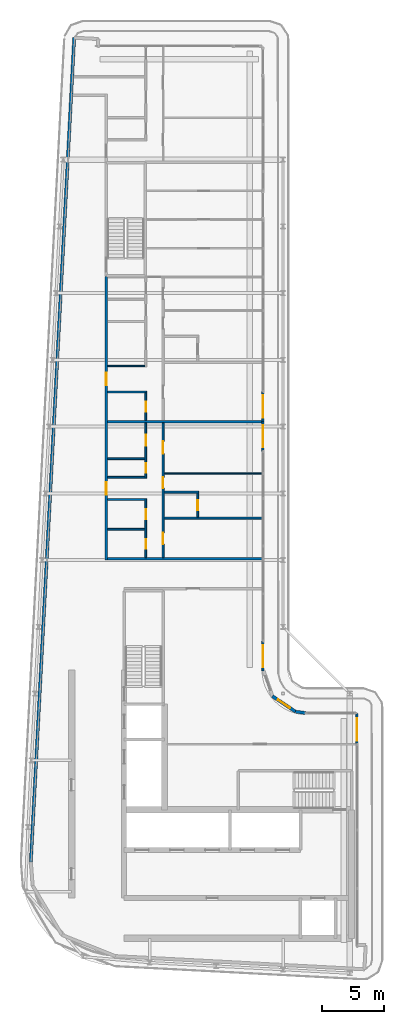
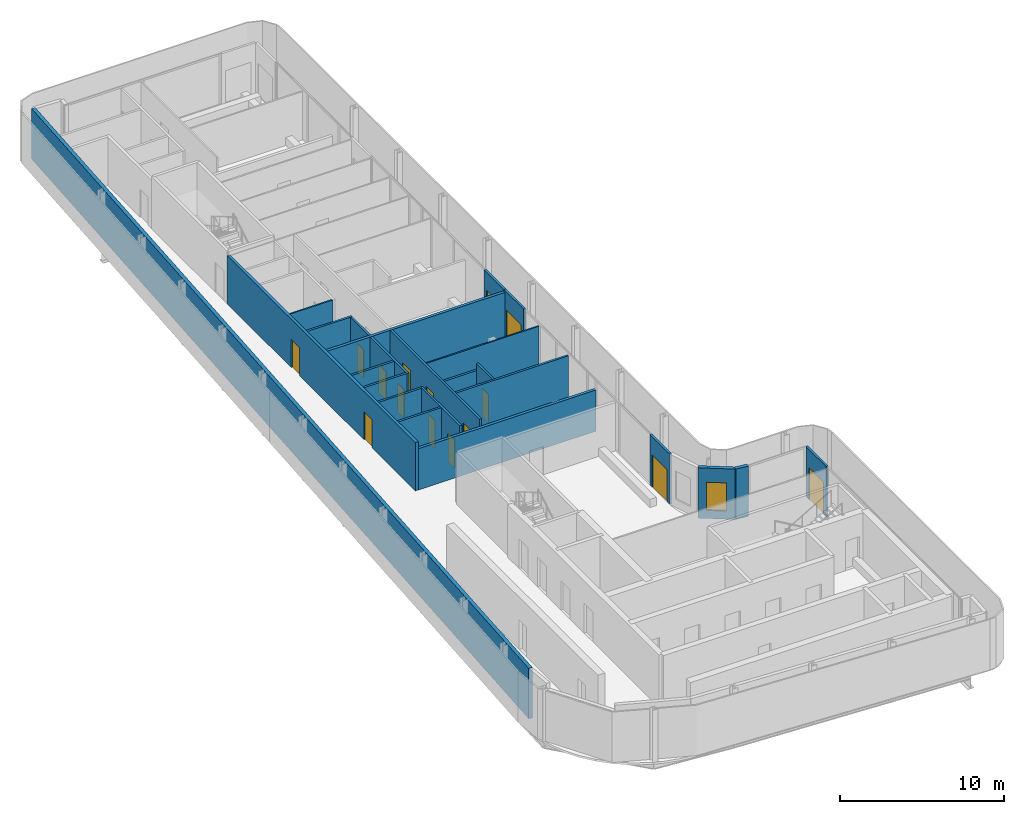
# One storey, part 10 of 18: 24 walls, 15 doors, 1 window, 16 openings.
"""IFC4 building model written with IfcOpenShell, lengths in metres."""

from ifc_helpers import new_model, si_unit, direction, frame, frame_2d, origin, place, context, subcontext, project, spatial, rectangle, extrude, source, transform, mapped, material, layer, layer_set, type_object, element, fill, save


model = new_model("IFC4")

# Units and contexts
model_context = context("Model", 3, precision=1e-05, world=origin(), true_north=direction((0.0, 1.0)))
body_context = subcontext(model_context, "Body", "Model", "MODEL_VIEW")
ifc_project = project(units=[si_unit("LENGTHUNIT", "METRE"), si_unit("AREAUNIT", "SQUARE_METRE"), si_unit("VOLUMEUNIT", "CUBIC_METRE"), si_unit("PLANEANGLEUNIT", "RADIAN"), si_unit("MASSUNIT", "GRAM", prefix="KILO")], contexts=[model_context])

# Site, building, storey
site_placement = place(None, origin())
site = spatial("IfcSite", under=ifc_project, at=site_placement, CompositionType="ELEMENT")
building_placement = place(site_placement, origin())
building = spatial("IfcBuilding", under=site, at=building_placement, Name="Kheshtan School and Residences Tower", CompositionType="ELEMENT")
storey_placement = place(building_placement, frame((0.0, 0.0, 373.39990234375)))
storey = spatial("IfcBuildingStorey", under=building, at=storey_placement, Name="L88", CompositionType="ELEMENT", Elevation=373.39990234375)

# Wall, openings, doors
ifc_material_1 = material(Name="Gypsum board on steel studs with fire boards", Category="steel")
ifc_layer_1 = layer(ifc_material_1, 0.199951171875)
ifc_layer_set_1 = layer_set([ifc_layer_1], Name="Corridor wall 200")
wall_type_1 = type_object("IfcWallType", Name="Corridor wall 200", PredefinedType="PARTITIONING", material=ifc_layer_set_1)
wall_1_placement = place(storey_placement, frame((33.300048828125, 56.39990234375, 0.0), z_axis=(0.0, 0.0, 1.0), x_axis=(0.0, 1.0, 0.0)))
wall_1 = element("IfcWall", 1, at=wall_1_placement, inside=storey, type_object=wall_type_1, Name="Partition L88-003", PredefinedType="PARTITIONING", context=body_context, shape_type="SweptSolid", body=[
    extrude(rectangle(XDim=22.9501953125, YDim=0.199951171875, at=frame_2d((11.47509765625, 0.0))), origin(), (0.0, 0.0, 1.0), 3.60009765625),
])
opening_1_placement = place(wall_1_placement, frame((5.300048828125, 0.0, 0.0)))
opening_1 = element("IfcOpeningElement", 2, at=opening_1_placement, cuts=wall_1, Name="Opening D87-005", PredefinedType="OPENING", context=body_context, shape_type="SweptSolid", body=[
    extrude(rectangle(XDim=1.0, YDim=2.10009765625, at=frame_2d((0.5, 1.050048828125))), frame((0.0, 0.10986328125, 0.0), z_axis=(0.0, -1.0, 0.0), x_axis=(1.0, 0.0, 0.0)), (0.0, 0.0, 1.0), 0.219970703125),
])
opening_2_placement = place(wall_1_placement, frame((14.14990234375, 0.0, 0.0)))
opening_2 = element("IfcOpeningElement", 3, at=opening_2_placement, cuts=wall_1, Name="Opening D87-013", PredefinedType="OPENING", context=body_context, shape_type="SweptSolid", body=[
    extrude(rectangle(XDim=1.0, YDim=2.10009765625, at=frame_2d((0.5, 1.050048828125))), frame((0.0, 0.10986328125, 0.0), z_axis=(0.0, -1.0, 0.0), x_axis=(1.0, 0.0, 0.0)), (0.0, 0.0, 1.0), 0.219970703125),
])
ifc_material_2 = material(Name="Steel-framed fire-resisting door leaf", Category="steel")
door_type_1 = type_object("IfcDoorType", Name="Fire door FD30S 1000 x 2100", OperationType="SINGLE_SWING_LEFT", PredefinedType="DOOR", material=ifc_material_2)
shared_shape_1 = source(origin(), body_context, "Body", "SweptSolid", [
    extrude(rectangle(XDim=1.0, YDim=2.10009765625, at=frame_2d((0.5, 1.050048828125))), frame((0.0, 0.02490234375, 0.0), z_axis=(0.0, -1.0, 0.0), x_axis=(1.0, 0.0, 0.0)), (0.0, 0.0, 1.0), 0.050048828125),
])
door_1_placement = place(opening_1_placement, origin())
door_1 = element("IfcDoor", 4, at=door_1_placement, inside=storey, type_object=door_type_1, Name="Door D87-005", OperationType="SINGLE_SWING_RIGHT", OverallHeight=2.10009765625, OverallWidth=1.0, PredefinedType="DOOR", context=body_context, shape_type="MappedRepresentation", body=[
    mapped(shared_shape_1, transform((0.0, 0.0, 0.0), x_axis=(1.0, 0.0, 0.0), y_axis=(0.0, 1.0, 0.0), z_axis=(0.0, 0.0, 1.0), scale=1.0)),
])
fill(opening_1, door_1)
door_2_placement = place(opening_2_placement, origin())
door_2 = element("IfcDoor", 5, at=door_2_placement, inside=storey, type_object=door_type_1, Name="Door D87-013", OperationType="SINGLE_SWING_LEFT", OverallHeight=2.10009765625, OverallWidth=1.0, PredefinedType="DOOR", context=body_context, shape_type="MappedRepresentation", body=[
    mapped(shared_shape_1, transform((0.0, 0.0, 0.0), x_axis=(1.0, 0.0, 0.0), y_axis=(0.0, 1.0, 0.0), z_axis=(0.0, 0.0, 1.0), scale=1.0)),
])
fill(opening_2, door_2)

# Walls
wall_2_placement = place(storey_placement, frame((33.39990234375, 56.5, 0.0), z_axis=(0.0, 0.0, 1.0), x_axis=(1.0, 0.0, 0.0)))
element("IfcWall", 6, at=wall_2_placement, inside=storey, type_object=wall_type_1, Name="Partition L88-005", PredefinedType="PARTITIONING", context=body_context, shape_type="SweptSolid", body=[
    extrude(rectangle(XDim=12.5, YDim=0.199951171875, at=frame_2d((6.25, 0.0))), origin(), (0.0, 0.0, 1.0), 3.072021484375),
])
ifc_material_3 = material(Name="Concrete C40/50 with ceramic cladding and mineral wool insulation", Category="concrete")
ifc_layer_2 = layer(ifc_material_3, 0.25)
ifc_layer_set_2 = layer_set([ifc_layer_2], Name="External wall 250 ceramic clad")
wall_type_2 = type_object("IfcWallType", Name="External wall 250 ceramic clad", PredefinedType="SOLIDWALL", material=ifc_layer_set_2)
wall_3_placement = place(storey_placement, frame((27.195068359375, 31.968994140625, 0.0), z_axis=(0.0, 0.0, 1.0), x_axis=(0.052554995867, 0.998618031286, 0.0)))
element("IfcWall", 7, at=wall_3_placement, inside=storey, type_object=wall_type_2, Name="External wall L88 4", PredefinedType="SOLIDWALL", context=body_context, shape_type="SweptSolid", body=[
    extrude(rectangle(XDim=66.787353515625, YDim=0.25, at=frame_2d((33.3935546875, 0.0))), origin(), (0.0, 0.0, 1.0), 3.75),
])

# Wall, opening, window
wall_4_placement = place(storey_placement, frame((46.742919921875, 45.388916015625, 0.0), z_axis=(0.0, 0.0, 1.0), x_axis=(0.831449265529, -0.555600682912, 0.0)))
wall_4 = element("IfcWall", 8, at=wall_4_placement, inside=storey, type_object=wall_type_2, Name="External wall L88 10", PredefinedType="SOLIDWALL", context=body_context, shape_type="SweptSolid", body=[
    extrude(rectangle(XDim=2.25146484375, YDim=0.25, at=frame_2d((1.125732421875, 0.0))), origin(), (0.0, 0.0, 1.0), 3.75),
])
opening_3_placement = place(wall_4_placement, frame((0.52490234375, 0.0, 0.60009765625)))
opening_3 = element("IfcOpeningElement", 9, at=opening_3_placement, cuts=wall_4, Name="Opening WN-E", PredefinedType="OPENING", context=body_context, shape_type="SweptSolid", body=[
    extrude(rectangle(XDim=1.199951171875, YDim=2.10009765625, at=frame_2d((0.60009765625, 1.050048828125))), frame((0.0, 0.135009765625, 0.0), z_axis=(0.0, -1.0, 0.0), x_axis=(1.0, 0.0, 0.0)), (0.0, 0.0, 1.0), 0.27001953125),
])
ifc_material_4 = material(Name="Clear low-e glass in thermally broken aluminium frame", Category="aluminium")
window_type = type_object("IfcWindowType", Name="Window WN-E", PartitioningType="SINGLE_PANEL", PredefinedType="WINDOW", material=ifc_material_4)
shared_shape_2 = source(origin(), body_context, "Body", "SweptSolid", [
    extrude(rectangle(XDim=1.199951171875, YDim=2.10009765625, at=frame_2d((0.60009765625, 1.050048828125))), frame((0.0, 0.030029296875, 0.0), z_axis=(0.0, -1.0, 0.0), x_axis=(1.0, 0.0, 0.0)), (0.0, 0.0, 1.0), 0.06005859375),
])
window_placement = place(opening_3_placement, origin())
window = element("IfcWindow", 10, at=window_placement, inside=storey, type_object=window_type, Name="Window L88 10", OverallHeight=2.10009765625, OverallWidth=1.199951171875, PartitioningType="SINGLE_PANEL", PredefinedType="WINDOW", context=body_context, shape_type="MappedRepresentation", body=[
    mapped(shared_shape_2, transform((0.0, 0.0, 0.0), x_axis=(1.0, 0.0, 0.0), y_axis=(0.0, 1.0, 0.0), z_axis=(0.0, 0.0, 1.0), scale=1.0)),
])
fill(opening_3, window)

# Wall
wall_5_placement = place(storey_placement, frame((48.614990234375, 44.137939453125, 0.0), z_axis=(0.0, 0.0, 1.0), x_axis=(0.990741504246, -0.135761819977, 0.0)))
element("IfcWall", 11, at=wall_5_placement, inside=storey, type_object=wall_type_2, Name="External wall L88 11", PredefinedType="SOLIDWALL", context=body_context, shape_type="SweptSolid", body=[
    extrude(rectangle(XDim=0.83984375, YDim=0.25, at=frame_2d((0.419921875, 0.0))), origin(), (0.0, 0.0, 1.0), 3.75),
])

# Wall, opening, door
ifc_material_5 = material(Name="Aluminium frame wall with insulated infill", Category="aluminium")
ifc_layer_3 = layer(ifc_material_5, 0.14990234375)
ifc_layer_set_3 = layer_set([ifc_layer_3], Name="Glazing frame wall 150")
wall_type_3 = type_object("IfcWallType", Name="Glazing frame wall 150", PredefinedType="SOLIDWALL", material=ifc_layer_set_3)
wall_6_placement = place(storey_placement, frame((45.97509765625, 70.01806640625, 0.0), z_axis=(0.0, 0.0, 1.0), x_axis=(0.0, -1.0, 0.0)))
wall_6 = element("IfcWall", 12, at=wall_6_placement, inside=storey, type_object=wall_type_3, Name="Balcony door wall L88 8.3", PredefinedType="SOLIDWALL", context=body_context, shape_type="SweptSolid", body=[
    extrude(rectangle(XDim=2.400146484375, YDim=0.14990234375, at=frame_2d((1.2001953125, 0.0))), origin(), (0.0, 0.0, 1.0), 3.75),
])
opening_4_placement = place(wall_6_placement, frame((0.300048828125, 0.0, 0.0)))
opening_4 = element("IfcOpeningElement", 13, at=opening_4_placement, cuts=wall_6, Name="Opening BD", PredefinedType="OPENING", context=body_context, shape_type="SweptSolid", body=[
    extrude(rectangle(XDim=1.800048828125, YDim=2.39990234375, at=frame_2d((0.89990234375, 1.199951171875))), frame((0.0, 0.0849609375, 0.0), z_axis=(0.0, -1.0, 0.0), x_axis=(1.0, 0.0, 0.0)), (0.0, 0.0, 1.0), 0.169921875),
])
door_type_2 = type_object("IfcDoorType", Name="Balcony sliding door", OperationType="SLIDING_TO_LEFT", PredefinedType="DOOR", material=ifc_material_4)
shared_shape_3 = source(origin(), body_context, "Body", "SweptSolid", [
    extrude(rectangle(XDim=1.800048828125, YDim=2.39990234375, at=frame_2d((0.89990234375, 1.199951171875))), frame((0.0, 0.02490234375, 0.0), z_axis=(0.0, -1.0, 0.0), x_axis=(1.0, 0.0, 0.0)), (0.0, 0.0, 1.0), 0.050048828125),
])
door_3_placement = place(opening_4_placement, origin())
door_3 = element("IfcDoor", 14, at=door_3_placement, inside=storey, type_object=door_type_2, Name="Balcony door L88 8.3", OperationType="SLIDING_TO_LEFT", OverallHeight=2.39990234375, OverallWidth=1.800048828125, PredefinedType="DOOR", context=body_context, shape_type="MappedRepresentation", body=[
    mapped(shared_shape_3, transform((0.0, 0.0, 0.0), x_axis=(1.0, 0.0, 0.0), y_axis=(0.0, 1.0, 0.0), z_axis=(0.0, 0.0, 1.0), scale=1.0)),
])
fill(opening_4, door_3)

wall_7_placement = place(storey_placement, frame((45.97509765625, 67.617919921875, 0.0), z_axis=(0.0, 0.0, 1.0), x_axis=(0.0, -1.0, 0.0)))
wall_7 = element("IfcWall", 15, at=wall_7_placement, inside=storey, type_object=wall_type_3, Name="Balcony door wall L88 8.4", PredefinedType="SOLIDWALL", context=body_context, shape_type="SweptSolid", body=[
    extrude(rectangle(XDim=2.39990234375, YDim=0.14990234375, at=frame_2d((1.199951171875, 0.0))), origin(), (0.0, 0.0, 1.0), 3.75),
])
opening_5_placement = place(wall_7_placement, frame((0.300048828125, 0.0, 0.0)))
opening_5 = element("IfcOpeningElement", 16, at=opening_5_placement, cuts=wall_7, Name="Opening BD", PredefinedType="OPENING", context=body_context, shape_type="SweptSolid", body=[
    extrude(rectangle(XDim=1.800048828125, YDim=2.39990234375, at=frame_2d((0.89990234375, 1.199951171875))), frame((0.0, 0.0849609375, 0.0), z_axis=(0.0, -1.0, 0.0), x_axis=(1.0, 0.0, 0.0)), (0.0, 0.0, 1.0), 0.169921875),
])
door_4_placement = place(opening_5_placement, origin())
door_4 = element("IfcDoor", 17, at=door_4_placement, inside=storey, type_object=door_type_2, Name="Balcony door L88 8.4", OperationType="SLIDING_TO_LEFT", OverallHeight=2.39990234375, OverallWidth=1.800048828125, PredefinedType="DOOR", context=body_context, shape_type="MappedRepresentation", body=[
    mapped(shared_shape_3, transform((0.0, 0.0, 0.0), x_axis=(1.0, 0.0, 0.0), y_axis=(0.0, 1.0, 0.0), z_axis=(0.0, 0.0, 1.0), scale=1.0)),
])
fill(opening_5, door_4)

wall_8_placement = place(storey_placement, frame((45.97509765625, 49.830078125, 0.0), z_axis=(0.0, 0.0, 1.0), x_axis=(0.0, -1.0, 0.0)))
wall_8 = element("IfcWall", 18, at=wall_8_placement, inside=storey, type_object=wall_type_3, Name="Balcony door wall L88 8.5", PredefinedType="SOLIDWALL", context=body_context, shape_type="SweptSolid", body=[
    extrude(rectangle(XDim=2.400146484375, YDim=0.14990234375, at=frame_2d((1.2001953125, 0.0))), origin(), (0.0, 0.0, 1.0), 3.75),
])
opening_6_placement = place(wall_8_placement, frame((0.300048828125, 0.0, 0.0)))
opening_6 = element("IfcOpeningElement", 19, at=opening_6_placement, cuts=wall_8, Name="Opening BD", PredefinedType="OPENING", context=body_context, shape_type="SweptSolid", body=[
    extrude(rectangle(XDim=1.800048828125, YDim=2.39990234375, at=frame_2d((0.89990234375, 1.199951171875))), frame((0.0, 0.0849609375, 0.0), z_axis=(0.0, -1.0, 0.0), x_axis=(1.0, 0.0, 0.0)), (0.0, 0.0, 1.0), 0.169921875),
])
door_5_placement = place(opening_6_placement, origin())
door_5 = element("IfcDoor", 20, at=door_5_placement, inside=storey, type_object=door_type_2, Name="Balcony door L88 8.5", OperationType="SLIDING_TO_LEFT", OverallHeight=2.39990234375, OverallWidth=1.800048828125, PredefinedType="DOOR", context=body_context, shape_type="MappedRepresentation", body=[
    mapped(shared_shape_3, transform((0.0, 0.0, 0.0), x_axis=(1.0, 0.0, 0.0), y_axis=(0.0, 1.0, 0.0), z_axis=(0.0, 0.0, 1.0), scale=1.0)),
])
fill(opening_6, door_5)

wall_9_placement = place(storey_placement, frame((53.574951171875, 43.970947265625, 0.0), z_axis=(0.0, 0.0, 1.0), x_axis=(0.0, -1.0, 0.0)))
wall_9 = element("IfcWall", 21, at=wall_9_placement, inside=storey, type_object=wall_type_3, Name="Balcony door wall L88 13.1", PredefinedType="SOLIDWALL", context=body_context, shape_type="SweptSolid", body=[
    extrude(rectangle(XDim=2.470947265625, YDim=0.14990234375, at=frame_2d((1.2353515625, 0.0))), origin(), (0.0, 0.0, 1.0), 3.75),
])
opening_7_placement = place(wall_9_placement, frame((0.37109375, 0.0, 0.0)))
opening_7 = element("IfcOpeningElement", 22, at=opening_7_placement, cuts=wall_9, Name="Opening BD", PredefinedType="OPENING", context=body_context, shape_type="SweptSolid", body=[
    extrude(rectangle(XDim=1.800048828125, YDim=2.39990234375, at=frame_2d((0.89990234375, 1.199951171875))), frame((0.0, 0.0849609375, 0.0), z_axis=(0.0, -1.0, 0.0), x_axis=(1.0, 0.0, 0.0)), (0.0, 0.0, 1.0), 0.169921875),
])
door_6_placement = place(opening_7_placement, origin())
door_6 = element("IfcDoor", 23, at=door_6_placement, inside=storey, type_object=door_type_2, Name="Balcony door L88 13.1", OperationType="SLIDING_TO_LEFT", OverallHeight=2.39990234375, OverallWidth=1.800048828125, PredefinedType="DOOR", context=body_context, shape_type="MappedRepresentation", body=[
    mapped(shared_shape_3, transform((0.0, 0.0, 0.0), x_axis=(1.0, 0.0, 0.0), y_axis=(0.0, 1.0, 0.0), z_axis=(0.0, 0.0, 1.0), scale=1.0)),
])
fill(opening_7, door_6)

# Walls
ifc_material_6 = material(Name="Gypsum board on steel studs", Category="steel")
ifc_layer_4 = layer(ifc_material_6, 0.10009765625)
ifc_layer_set_4 = layer_set([ifc_layer_4], Name="Gypsum partition 100")
wall_type_4 = type_object("IfcWallType", Name="Gypsum partition 100", PredefinedType="PARTITIONING", material=ifc_layer_set_4)
wall_10_placement = place(storey_placement, frame((33.39990234375, 72.10009765625, 0.0), z_axis=(0.0, 0.0, 1.0), x_axis=(1.0, 0.0, 0.0)))
element("IfcWall", 24, at=wall_10_placement, inside=storey, type_object=wall_type_4, Name="Partition L88-012", PredefinedType="PARTITIONING", context=body_context, shape_type="SweptSolid", body=[
    extrude(rectangle(XDim=3.025146484375, YDim=0.10009765625, at=frame_2d((1.5126953125, 0.0))), origin(), (0.0, 0.0, 1.0), 3.60009765625),
])
wall_11_placement = place(storey_placement, frame((37.97509765625, 63.39990234375, 0.0), z_axis=(0.0, 0.0, 1.0), x_axis=(1.0, 0.0, 0.0)))
element("IfcWall", 25, at=wall_11_placement, inside=storey, type_object=wall_type_4, Name="Partition L88-034", PredefinedType="PARTITIONING", context=body_context, shape_type="SweptSolid", body=[
    extrude(rectangle(XDim=7.9248046875, YDim=0.10009765625, at=frame_2d((3.96240234375, 0.0))), origin(), (0.0, 0.0, 1.0), 3.60009765625),
])
ifc_material_7 = material(Name="Twin gypsum board on steel studs with mineral wool", Category="steel")
ifc_layer_5 = layer(ifc_material_7, 0.199951171875)
ifc_layer_set_5 = layer_set([ifc_layer_5], Name="Unit demising wall 200")
wall_type_5 = type_object("IfcWallType", Name="Unit demising wall 200", PredefinedType="PARTITIONING", material=ifc_layer_set_5)
wall_12_placement = place(storey_placement, frame((33.39990234375, 67.60009765625, 0.0), z_axis=(0.0, 0.0, 1.0), x_axis=(1.0, 0.0, 0.0)))
element("IfcWall", 26, at=wall_12_placement, inside=storey, type_object=wall_type_5, Name="Partition L88-010", PredefinedType="PARTITIONING", context=body_context, shape_type="SweptSolid", body=[
    extrude(rectangle(XDim=12.5, YDim=0.199951171875, at=frame_2d((6.25, 0.0))), origin(), (0.0, 0.0, 1.0), 3.60009765625),
])
ifc_material_8 = material(Name="Moisture-resistant gypsum board on steel studs", Category="steel")
ifc_layer_6 = layer(ifc_material_8, 0.14990234375)
ifc_layer_set_6 = layer_set([ifc_layer_6], Name="Wet-room partition 150")
wall_type_6 = type_object("IfcWallType", Name="Wet-room partition 150", PredefinedType="PARTITIONING", material=ifc_layer_set_6)
for number, where, z_axis, x_axis, name in (
    (27, (33.39990234375, 58.89990234375, 0.0), (0.0, 0.0, 1.0), (1.0, 0.0, 0.0), "Partition L88-006"),
    (28, (33.39990234375, 61.300048828125, 0.0), (0.0, 0.0, 1.0), (1.0, 0.0, 0.0), "Partition L88-007"),
    (29, (33.39990234375, 63.10009765625, 0.0), (0.0, 0.0, 1.0), (1.0, 0.0, 0.0), "Partition L88-008"),
    (30, (33.39990234375, 64.60009765625, 0.0), (0.0, 0.0, 1.0), (1.0, 0.0, 0.0), "Partition L88-009"),
):
    element("IfcWall", number, at=place(storey_placement, frame(where, z_axis=z_axis, x_axis=x_axis)), inside=storey, type_object=wall_type_6, Name=name, PredefinedType="PARTITIONING", context=body_context, shape_type="SweptSolid", body=[
        extrude(rectangle(XDim=3.025146484375, YDim=0.14990234375, at=frame_2d((1.5126953125, 0.0))), origin(), (0.0, 0.0, 1.0), 3.60009765625),
    ])
wall_13_placement = place(storey_placement, frame((33.39990234375, 70.0, 0.0), z_axis=(0.0, 0.0, 1.0), x_axis=(1.0, 0.0, 0.0)))
element("IfcWall", 31, at=wall_13_placement, inside=storey, type_object=wall_type_6, Name="Partition L88-011", PredefinedType="PARTITIONING", context=body_context, shape_type="SweptSolid", body=[
    extrude(rectangle(XDim=3.175048828125, YDim=0.14990234375, at=frame_2d((1.58740234375, 0.0))), origin(), (0.0, 0.0, 1.0), 3.60009765625),
])

# Wall, openings, doors
wall_14_placement = place(storey_placement, frame((36.5, 56.60009765625, 0.0), z_axis=(0.0, 0.0, 1.0), x_axis=(0.0, 1.0, 0.0)))
wall_14 = element("IfcWall", 32, at=wall_14_placement, inside=storey, type_object=wall_type_6, Name="Partition L88-019", PredefinedType="PARTITIONING", context=body_context, shape_type="SweptSolid", body=[
    extrude(rectangle(XDim=4.77490234375, YDim=0.14990234375, at=frame_2d((2.387451171875, 0.0))), origin(), (0.0, 0.0, 1.0), 3.60009765625),
])
opening_8_placement = place(wall_14_placement, frame((3.10009765625, 0.0, 0.0)))
opening_8 = element("IfcOpeningElement", 33, at=opening_8_placement, cuts=wall_14, Name="Opening D87-001", PredefinedType="OPENING", context=body_context, shape_type="SweptSolid", body=[
    extrude(rectangle(XDim=0.800048828125, YDim=2.10009765625, at=frame_2d((0.39990234375, 1.050048828125))), frame((0.0, 0.0849609375, 0.0), z_axis=(0.0, -1.0, 0.0), x_axis=(1.0, 0.0, 0.0)), (0.0, 0.0, 1.0), 0.169921875),
])
opening_9_placement = place(wall_14_placement, frame((0.699951171875, 0.0, 0.0)))
opening_9 = element("IfcOpeningElement", 34, at=opening_9_placement, cuts=wall_14, Name="Opening D87-003", PredefinedType="OPENING", context=body_context, shape_type="SweptSolid", body=[
    extrude(rectangle(XDim=0.800048828125, YDim=2.10009765625, at=frame_2d((0.39990234375, 1.050048828125))), frame((0.0, 0.0849609375, 0.0), z_axis=(0.0, -1.0, 0.0), x_axis=(1.0, 0.0, 0.0)), (0.0, 0.0, 1.0), 0.169921875),
])
ifc_material_9 = material(Name="Veneered timber door leaf", Category="wood")
door_type_3 = type_object("IfcDoorType", Name="Door 800 x 2100", OperationType="SINGLE_SWING_LEFT", PredefinedType="DOOR", material=ifc_material_9)
shared_shape_4 = source(origin(), body_context, "Body", "SweptSolid", [
    extrude(rectangle(XDim=0.800048828125, YDim=2.10009765625, at=frame_2d((0.39990234375, 1.050048828125))), frame((0.0, 0.02490234375, 0.0), z_axis=(0.0, -1.0, 0.0), x_axis=(1.0, 0.0, 0.0)), (0.0, 0.0, 1.0), 0.050048828125),
])
door_7_placement = place(opening_8_placement, origin())
door_7 = element("IfcDoor", 35, at=door_7_placement, inside=storey, type_object=door_type_3, Name="Door D87-001", OperationType="SINGLE_SWING_LEFT", OverallHeight=2.10009765625, OverallWidth=0.800048828125, PredefinedType="DOOR", context=body_context, shape_type="MappedRepresentation", body=[
    mapped(shared_shape_4, transform((0.0, 0.0, 0.0), x_axis=(1.0, 0.0, 0.0), y_axis=(0.0, 1.0, 0.0), z_axis=(0.0, 0.0, 1.0), scale=1.0)),
])
fill(opening_8, door_7)
door_8_placement = place(opening_9_placement, origin())
door_8 = element("IfcDoor", 36, at=door_8_placement, inside=storey, type_object=door_type_3, Name="Door D87-003", OperationType="SINGLE_SWING_LEFT", OverallHeight=2.10009765625, OverallWidth=0.800048828125, PredefinedType="DOOR", context=body_context, shape_type="MappedRepresentation", body=[
    mapped(shared_shape_4, transform((0.0, 0.0, 0.0), x_axis=(1.0, 0.0, 0.0), y_axis=(0.0, 1.0, 0.0), z_axis=(0.0, 0.0, 1.0), scale=1.0)),
])
fill(opening_9, door_8)

wall_15_placement = place(storey_placement, frame((36.5, 63.02490234375, 0.0), z_axis=(0.0, 0.0, 1.0), x_axis=(0.0, 1.0, 0.0)))
wall_15 = element("IfcWall", 37, at=wall_15_placement, inside=storey, type_object=wall_type_6, Name="Partition L88-020", PredefinedType="PARTITIONING", context=body_context, shape_type="SweptSolid", body=[
    extrude(rectangle(XDim=4.47509765625, YDim=0.14990234375, at=frame_2d((2.237548828125, 0.0))), origin(), (0.0, 0.0, 1.0), 3.60009765625),
])
opening_10_placement = place(wall_15_placement, frame((2.625, 0.0, 0.0)))
opening_10 = element("IfcOpeningElement", 38, at=opening_10_placement, cuts=wall_15, Name="Opening D87-006", PredefinedType="OPENING", context=body_context, shape_type="SweptSolid", body=[
    extrude(rectangle(XDim=0.89990234375, YDim=2.10009765625, at=frame_2d((0.449951171875, 1.050048828125))), frame((0.0, 0.0849609375, 0.0), z_axis=(0.0, -1.0, 0.0), x_axis=(1.0, 0.0, 0.0)), (0.0, 0.0, 1.0), 0.169921875),
])
opening_11_placement = place(wall_15_placement, frame((0.425048828125, 0.0, 0.0)))
opening_11 = element("IfcOpeningElement", 39, at=opening_11_placement, cuts=wall_15, Name="Opening D87-009", PredefinedType="OPENING", context=body_context, shape_type="SweptSolid", body=[
    extrude(rectangle(XDim=0.800048828125, YDim=2.10009765625, at=frame_2d((0.39990234375, 1.050048828125))), frame((0.0, 0.0849609375, 0.0), z_axis=(0.0, -1.0, 0.0), x_axis=(1.0, 0.0, 0.0)), (0.0, 0.0, 1.0), 0.169921875),
])
door_9_placement = place(opening_11_placement, origin())
door_9 = element("IfcDoor", 40, at=door_9_placement, inside=storey, type_object=door_type_3, Name="Door D87-009", OperationType="SINGLE_SWING_RIGHT", OverallHeight=2.10009765625, OverallWidth=0.800048828125, PredefinedType="DOOR", context=body_context, shape_type="MappedRepresentation", body=[
    mapped(shared_shape_4, transform((0.0, 0.0, 0.0), x_axis=(1.0, 0.0, 0.0), y_axis=(0.0, 1.0, 0.0), z_axis=(0.0, 0.0, 1.0), scale=1.0)),
])
fill(opening_11, door_9)
door_type_4 = type_object("IfcDoorType", Name="Door 900 x 2100", OperationType="SINGLE_SWING_LEFT", PredefinedType="DOOR", material=ifc_material_9)
shared_shape_5 = source(origin(), body_context, "Body", "SweptSolid", [
    extrude(rectangle(XDim=0.89990234375, YDim=2.10009765625, at=frame_2d((0.449951171875, 1.050048828125))), frame((0.0, 0.02490234375, 0.0), z_axis=(0.0, -1.0, 0.0), x_axis=(1.0, 0.0, 0.0)), (0.0, 0.0, 1.0), 0.050048828125),
])
door_10_placement = place(opening_10_placement, origin())
door_10 = element("IfcDoor", 41, at=door_10_placement, inside=storey, type_object=door_type_4, Name="Door D87-006", OperationType="SINGLE_SWING_RIGHT", OverallHeight=2.10009765625, OverallWidth=0.89990234375, PredefinedType="DOOR", context=body_context, shape_type="MappedRepresentation", body=[
    mapped(shared_shape_5, transform((0.0, 0.0, 0.0), x_axis=(1.0, 0.0, 0.0), y_axis=(0.0, 1.0, 0.0), z_axis=(0.0, 0.0, 1.0), scale=1.0)),
])
fill(opening_10, door_10)

# Wall, opening, door
wall_16_placement = place(storey_placement, frame((36.5, 67.699951171875, 0.0), z_axis=(0.0, 0.0, 1.0), x_axis=(0.0, 1.0, 0.0)))
wall_16 = element("IfcWall", 42, at=wall_16_placement, inside=storey, type_object=wall_type_6, Name="Partition L88-021", PredefinedType="PARTITIONING", context=body_context, shape_type="SweptSolid", body=[
    extrude(rectangle(XDim=2.22509765625, YDim=0.14990234375, at=frame_2d((1.112548828125, 0.0))), origin(), (0.0, 0.0, 1.0), 3.60009765625),
])
opening_12_placement = place(wall_16_placement, frame((0.699951171875, 0.0, 0.0)))
opening_12 = element("IfcOpeningElement", 43, at=opening_12_placement, cuts=wall_16, Name="Opening D87-010", PredefinedType="OPENING", context=body_context, shape_type="SweptSolid", body=[
    extrude(rectangle(XDim=0.800048828125, YDim=2.10009765625, at=frame_2d((0.39990234375, 1.050048828125))), frame((0.0, 0.0849609375, 0.0), z_axis=(0.0, -1.0, 0.0), x_axis=(1.0, 0.0, 0.0)), (0.0, 0.0, 1.0), 0.169921875),
])
door_11_placement = place(opening_12_placement, origin())
door_11 = element("IfcDoor", 44, at=door_11_placement, inside=storey, type_object=door_type_3, Name="Door D87-010", OperationType="SINGLE_SWING_LEFT", OverallHeight=2.10009765625, OverallWidth=0.800048828125, PredefinedType="DOOR", context=body_context, shape_type="MappedRepresentation", body=[
    mapped(shared_shape_4, transform((0.0, 0.0, 0.0), x_axis=(1.0, 0.0, 0.0), y_axis=(0.0, 1.0, 0.0), z_axis=(0.0, 0.0, 1.0), scale=1.0)),
])
fill(opening_12, door_11)

# Wall, openings, doors
wall_17_placement = place(storey_placement, frame((37.89990234375, 56.60009765625, 0.0), z_axis=(0.0, 0.0, 1.0), x_axis=(0.0, 1.0, 0.0)))
wall_17 = element("IfcWall", 45, at=wall_17_placement, inside=storey, type_object=wall_type_6, Name="Partition L88-028", PredefinedType="PARTITIONING", context=body_context, shape_type="SweptSolid", body=[
    extrude(rectangle(XDim=10.89990234375, YDim=0.14990234375, at=frame_2d((5.449951171875, 0.0))), origin(), (0.0, 0.0, 1.0), 3.60009765625),
])
opening_13_placement = place(wall_17_placement, frame((1.10009765625, 0.0, 0.0)))
opening_13 = element("IfcOpeningElement", 46, at=opening_13_placement, cuts=wall_17, Name="Opening D87-002", PredefinedType="OPENING", context=body_context, shape_type="SweptSolid", body=[
    extrude(rectangle(XDim=0.89990234375, YDim=2.10009765625, at=frame_2d((0.449951171875, 1.050048828125))), frame((0.0, 0.0849609375, 0.0), z_axis=(0.0, -1.0, 0.0), x_axis=(1.0, 0.0, 0.0)), (0.0, 0.0, 1.0), 0.169921875),
])
opening_14_placement = place(wall_17_placement, frame((8.39990234375, 0.0, 0.0)))
opening_14 = element("IfcOpeningElement", 47, at=opening_14_placement, cuts=wall_17, Name="Opening D87-007", PredefinedType="OPENING", context=body_context, shape_type="SweptSolid", body=[
    extrude(rectangle(XDim=1.0, YDim=2.10009765625, at=frame_2d((0.5, 1.050048828125))), frame((0.0, 0.0849609375, 0.0), z_axis=(0.0, -1.0, 0.0), x_axis=(1.0, 0.0, 0.0)), (0.0, 0.0, 1.0), 0.169921875),
])
opening_15_placement = place(wall_17_placement, frame((5.60009765625, 0.0, 0.0)))
opening_15 = element("IfcOpeningElement", 48, at=opening_15_placement, cuts=wall_17, Name="Opening D87-008", PredefinedType="OPENING", context=body_context, shape_type="SweptSolid", body=[
    extrude(rectangle(XDim=0.89990234375, YDim=2.10009765625, at=frame_2d((0.449951171875, 1.050048828125))), frame((0.0, 0.0849609375, 0.0), z_axis=(0.0, -1.0, 0.0), x_axis=(1.0, 0.0, 0.0)), (0.0, 0.0, 1.0), 0.169921875),
])
door_type_5 = type_object("IfcDoorType", Name="Door 1000 x 2100", OperationType="SINGLE_SWING_LEFT", PredefinedType="DOOR", material=ifc_material_9)
shared_shape_6 = source(origin(), body_context, "Body", "SweptSolid", [
    extrude(rectangle(XDim=1.0, YDim=2.10009765625, at=frame_2d((0.5, 1.050048828125))), frame((0.0, 0.02490234375, 0.0), z_axis=(0.0, -1.0, 0.0), x_axis=(1.0, 0.0, 0.0)), (0.0, 0.0, 1.0), 0.050048828125),
])
door_12_placement = place(opening_14_placement, origin())
door_12 = element("IfcDoor", 49, at=door_12_placement, inside=storey, type_object=door_type_5, Name="Door D87-007", OperationType="SINGLE_SWING_RIGHT", OverallHeight=2.10009765625, OverallWidth=1.0, PredefinedType="DOOR", context=body_context, shape_type="MappedRepresentation", body=[
    mapped(shared_shape_6, transform((0.0, 0.0, 0.0), x_axis=(1.0, 0.0, 0.0), y_axis=(0.0, 1.0, 0.0), z_axis=(0.0, 0.0, 1.0), scale=1.0)),
])
fill(opening_14, door_12)
door_13_placement = place(opening_13_placement, origin())
door_13 = element("IfcDoor", 50, at=door_13_placement, inside=storey, type_object=door_type_4, Name="Door D87-002", OperationType="SINGLE_SWING_LEFT", OverallHeight=2.10009765625, OverallWidth=0.89990234375, PredefinedType="DOOR", context=body_context, shape_type="MappedRepresentation", body=[
    mapped(shared_shape_5, transform((0.0, 0.0, 0.0), x_axis=(1.0, 0.0, 0.0), y_axis=(0.0, 1.0, 0.0), z_axis=(0.0, 0.0, 1.0), scale=1.0)),
])
fill(opening_13, door_13)
door_14_placement = place(opening_15_placement, origin())
door_14 = element("IfcDoor", 51, at=door_14_placement, inside=storey, type_object=door_type_4, Name="Door D87-008", OperationType="SINGLE_SWING_RIGHT", OverallHeight=2.10009765625, OverallWidth=0.89990234375, PredefinedType="DOOR", context=body_context, shape_type="MappedRepresentation", body=[
    mapped(shared_shape_5, transform((0.0, 0.0, 0.0), x_axis=(1.0, 0.0, 0.0), y_axis=(0.0, 1.0, 0.0), z_axis=(0.0, 0.0, 1.0), scale=1.0)),
])
fill(opening_15, door_14)

# Walls
wall_18_placement = place(storey_placement, frame((37.97509765625, 59.800048828125, 0.0), z_axis=(0.0, 0.0, 1.0), x_axis=(1.0, 0.0, 0.0)))
element("IfcWall", 52, at=wall_18_placement, inside=storey, type_object=wall_type_6, Name="Partition L88-032", PredefinedType="PARTITIONING", context=body_context, shape_type="SweptSolid", body=[
    extrude(rectangle(XDim=7.9248046875, YDim=0.14990234375, at=frame_2d((3.96240234375, 0.0))), origin(), (0.0, 0.0, 1.0), 3.60009765625),
])
wall_19_placement = place(storey_placement, frame((37.97509765625, 61.89990234375, 0.0), z_axis=(0.0, 0.0, 1.0), x_axis=(1.0, 0.0, 0.0)))
element("IfcWall", 53, at=wall_19_placement, inside=storey, type_object=wall_type_6, Name="Partition L88-033", PredefinedType="PARTITIONING", context=body_context, shape_type="SweptSolid", body=[
    extrude(rectangle(XDim=2.7998046875, YDim=0.14990234375, at=frame_2d((1.39990234375, 0.0))), origin(), (0.0, 0.0, 1.0), 3.072021484375),
])

# Wall, opening, door
wall_20_placement = place(storey_placement, frame((40.699951171875, 59.875, 0.0), z_axis=(0.0, 0.0, 1.0), x_axis=(0.0, 1.0, 0.0)))
wall_20 = element("IfcWall", 54, at=wall_20_placement, inside=storey, type_object=wall_type_6, Name="Partition L88-039", PredefinedType="PARTITIONING", context=body_context, shape_type="SweptSolid", body=[
    extrude(rectangle(XDim=1.949951171875, YDim=0.14990234375, at=frame_2d((0.97509765625, 0.0))), origin(), (0.0, 0.0, 1.0), 3.60009765625),
])
opening_16_placement = place(wall_20_placement, frame((0.574951171875, 0.0, 0.0)))
opening_16 = element("IfcOpeningElement", 55, at=opening_16_placement, cuts=wall_20, Name="Opening D87-004", PredefinedType="OPENING", context=body_context, shape_type="SweptSolid", body=[
    extrude(rectangle(XDim=0.800048828125, YDim=2.10009765625, at=frame_2d((0.39990234375, 1.050048828125))), frame((0.0, 0.0849609375, 0.0), z_axis=(0.0, -1.0, 0.0), x_axis=(1.0, 0.0, 0.0)), (0.0, 0.0, 1.0), 0.169921875),
])
door_15_placement = place(opening_16_placement, origin())
door_15 = element("IfcDoor", 56, at=door_15_placement, inside=storey, type_object=door_type_3, Name="Door D87-004", OperationType="SINGLE_SWING_RIGHT", OverallHeight=2.10009765625, OverallWidth=0.800048828125, PredefinedType="DOOR", context=body_context, shape_type="MappedRepresentation", body=[
    mapped(shared_shape_4, transform((0.0, 0.0, 0.0), x_axis=(1.0, 0.0, 0.0), y_axis=(0.0, 1.0, 0.0), z_axis=(0.0, 0.0, 1.0), scale=1.0)),
])
fill(opening_16, door_15)

save(model, "model.ifc")
